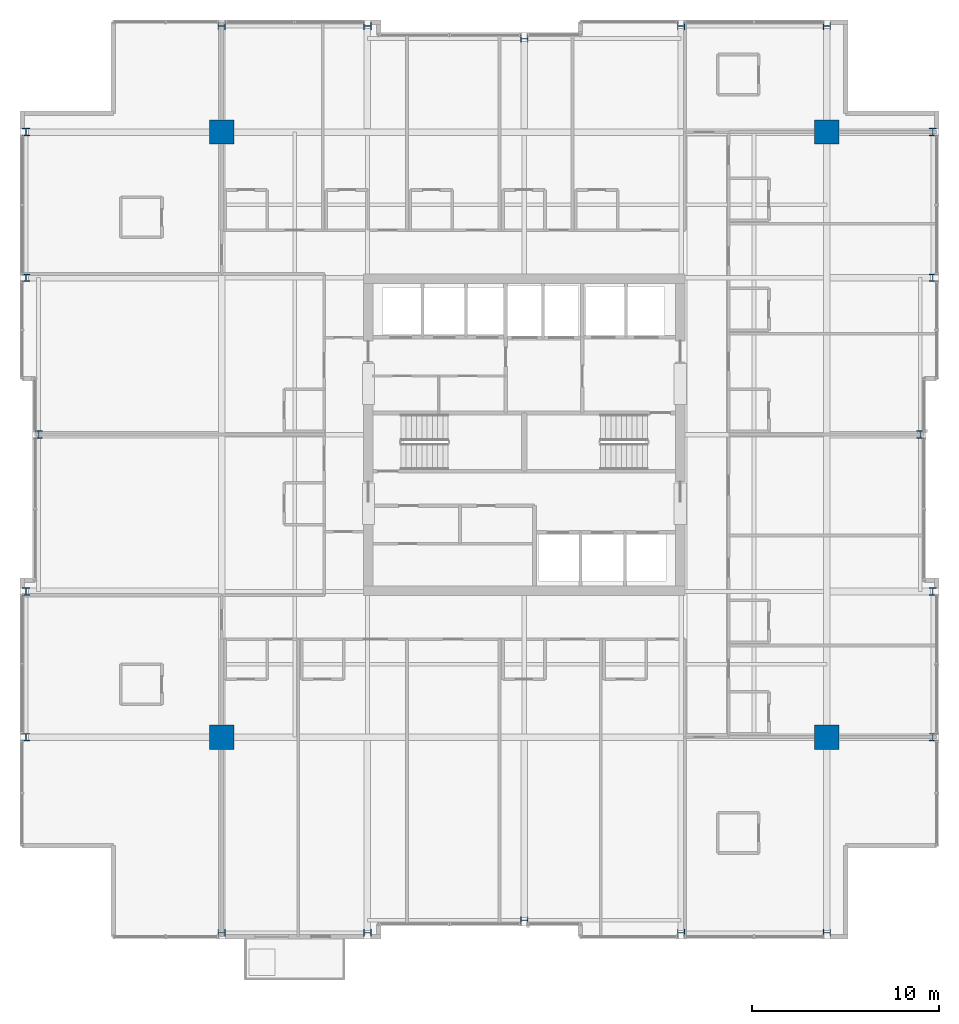
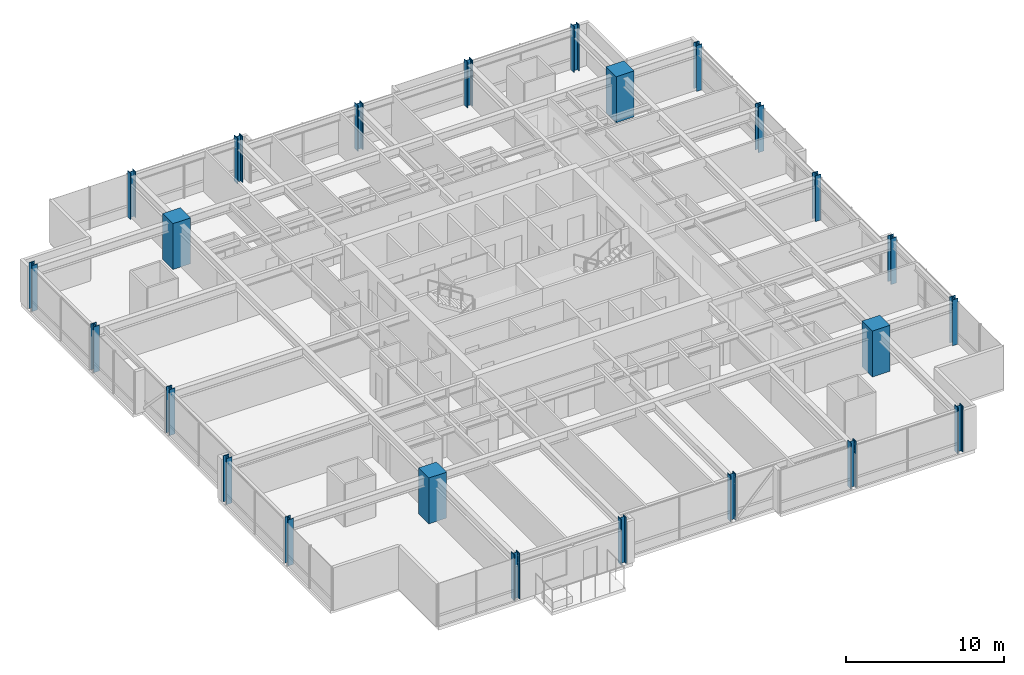
# One storey, part 1 of 33: 24 columns.
"""IFC4 building model written with IfcOpenShell, lengths in metres."""

from ifc_helpers import new_model, si_unit, direction, frame, origin, origin_2d, place, context, subcontext, project, spatial, rectangle, i_section, extrude, material, material_profile, profile_set, type_object, element, save


model = new_model("IFC4")

# Units and contexts
model_context = context("Model", 3, precision=1e-05, world=origin(), true_north=direction((0.0, 1.0)))
body_context = subcontext(model_context, "Body", "Model", "MODEL_VIEW")
ifc_project = project(units=[si_unit("LENGTHUNIT", "METRE"), si_unit("AREAUNIT", "SQUARE_METRE"), si_unit("VOLUMEUNIT", "CUBIC_METRE"), si_unit("PLANEANGLEUNIT", "RADIAN"), si_unit("MASSUNIT", "GRAM", prefix="KILO")], contexts=[model_context])

# Site, building, storey
site_placement = place(None, origin())
site = spatial("IfcSite", under=ifc_project, at=site_placement, CompositionType="ELEMENT")
building_placement = place(site_placement, origin())
building = spatial("IfcBuilding", under=site, at=building_placement, Name="Drelvath Grand Hotel", CompositionType="ELEMENT")
storey_placement = place(building_placement, frame((0.0, 0.0, 153.949951171875)))
storey = spatial("IfcBuildingStorey", under=building, at=storey_placement, Name="L39", CompositionType="ELEMENT", Elevation=153.949951171875)

# Columns
ifc_material_1 = material(Name="Concrete f'c 55 MPa", Category="concrete")
ifc_material_profile_1 = material_profile(ifc_material_1, rectangle(XDim=1.300048828125, YDim=1.300048828125, at=origin_2d()), Name="MC1300X1300")
ifc_profile_set_1 = profile_set([ifc_material_profile_1], Name="Concrete f'c 55 MPa")
column_type_1 = type_object("IfcColumnType", Name="Composite Mega Column MC1300X1300", PredefinedType="COLUMN", material=ifc_profile_set_1)
for number, where, z_axis, x_axis, name in (
    (1, (-16.199951171875, 10.800048828125, 0.0), (0.0, 0.0, 1.0), (1.0, 0.0, 0.0), "L39 Composite Mega Column MC-SW"),
    (2, (16.199951171875, 10.800048828125, 0.0), (0.0, 0.0, 1.0), (1.0, 0.0, 0.0), "L39 Composite Mega Column MC-SE"),
    (3, (-16.199951171875, 43.199951171875, 0.0), (0.0, 0.0, 1.0), (1.0, 0.0, 0.0), "L39 Composite Mega Column MC-NW"),
    (4, (16.199951171875, 43.199951171875, 0.0), (0.0, 0.0, 1.0), (1.0, 0.0, 0.0), "L39 Composite Mega Column MC-NE"),
):
    element("IfcColumn", number, at=place(storey_placement, frame(where, z_axis=z_axis, x_axis=x_axis)), inside=storey, type_object=column_type_1, Name=name, PredefinedType="COLUMN", context=body_context, shape_type="SweptSolid", body=[
        extrude(rectangle(XDim=1.300048828125, YDim=1.300048828125, at=origin_2d()), origin(), (0.0, 0.0, 1.0), 3.550048828125),
    ])
ifc_material_2 = material(Name="Steel ASTM A913 Gr 65", Category="steel")
ifc_material_profile_2 = material_profile(ifc_material_2, i_section(OverallWidth=0.40625, OverallDepth=0.416015625, WebThickness=0.02978515625, FlangeThickness=0.048095703125, FilletRadius=0.028076171875, at=origin_2d()), Name="W14X257")
ifc_profile_set_2 = profile_set([ifc_material_profile_2], Name="Steel ASTM A913 Gr 65")
column_type_2 = type_object("IfcColumnType", Name="Perimeter Steel Column W14X257", PredefinedType="COLUMN", material=ifc_profile_set_2)
for number, where, z_axis, x_axis, name in (
    (5, (-26.679931640625, 10.800048828125, 0.0), (0.0, 0.0, 1.0), (1.0, 0.0, 0.0), "L39 Structural Column TCW-C"),
    (6, (21.8798828125, 10.800048828125, 0.0), (0.0, 0.0, 1.0), (1.0, 0.0, 0.0), "L39 Structural Column TCE-C"),
    (7, (-26.679931640625, 18.60009765625, 0.0), (0.0, 0.0, 1.0), (1.0, 0.0, 0.0), "L39 Structural Column TCW-D"),
    (8, (21.8798828125, 18.60009765625, 0.0), (0.0, 0.0, 1.0), (1.0, 0.0, 0.0), "L39 Structural Column TCE-D"),
    (9, (-26.0, 27.0, 0.0), (0.0, 0.0, 1.0), (1.0, 0.0, 0.0), "L39 Structural Column TCW-E"),
    (10, (21.199951171875, 27.0, 0.0), (0.0, 0.0, 1.0), (1.0, 0.0, 0.0), "L39 Structural Column TCE-E"),
    (11, (-26.679931640625, 35.39990234375, 0.0), (0.0, 0.0, 1.0), (1.0, 0.0, 0.0), "L39 Structural Column TCW-F"),
    (12, (21.8798828125, 35.39990234375, 0.0), (0.0, 0.0, 1.0), (1.0, 0.0, 0.0), "L39 Structural Column TCE-F"),
    (13, (-26.679931640625, 43.199951171875, 0.0), (0.0, 0.0, 1.0), (1.0, 0.0, 0.0), "L39 Structural Column TCW-G"),
    (14, (21.8798828125, 43.199951171875, 0.0), (0.0, 0.0, 1.0), (1.0, 0.0, 0.0), "L39 Structural Column TCE-G"),
    (15, (-16.199951171875, 0.320068359375, 0.0), (0.0, 0.0, 1.0), (0.0, 1.0, 0.0), "L39 Structural Column TCS-3"),
    (16, (-16.199951171875, 48.8798828125, 0.0), (0.0, 0.0, 1.0), (0.0, 1.0, 0.0), "L39 Structural Column TCN-3"),
    (17, (-8.39990234375, 0.320068359375, 0.0), (0.0, 0.0, 1.0), (0.0, 1.0, 0.0), "L39 Structural Column TCS-4"),
    (18, (-8.39990234375, 48.8798828125, 0.0), (0.0, 0.0, 1.0), (0.0, 1.0, 0.0), "L39 Structural Column TCN-4"),
    (19, (0.0, 1.0, 0.0), (0.0, 0.0, 1.0), (0.0, 1.0, 0.0), "L39 Structural Column TCS-5"),
    (20, (0.0, 48.199951171875, 0.0), (0.0, 0.0, 1.0), (0.0, 1.0, 0.0), "L39 Structural Column TCN-5"),
    (21, (8.39990234375, 0.320068359375, 0.0), (0.0, 0.0, 1.0), (0.0, 1.0, 0.0), "L39 Structural Column TCS-6"),
    (22, (8.39990234375, 48.8798828125, 0.0), (0.0, 0.0, 1.0), (0.0, 1.0, 0.0), "L39 Structural Column TCN-6"),
    (23, (16.199951171875, 0.320068359375, 0.0), (0.0, 0.0, 1.0), (0.0, 1.0, 0.0), "L39 Structural Column TCS-7"),
    (24, (16.199951171875, 48.8798828125, 0.0), (0.0, 0.0, 1.0), (0.0, 1.0, 0.0), "L39 Structural Column TCN-7"),
):
    element("IfcColumn", number, at=place(storey_placement, frame(where, z_axis=z_axis, x_axis=x_axis)), inside=storey, type_object=column_type_2, Name=name, PredefinedType="COLUMN", context=body_context, shape_type="SweptSolid", body=[
        extrude(i_section(OverallWidth=0.40625, OverallDepth=0.416015625, WebThickness=0.02978515625, FlangeThickness=0.048095703125, FilletRadius=0.028076171875, at=origin_2d()), origin(), (0.0, 0.0, 1.0), 3.547119140625),
    ])

save(model, "model.ifc")
